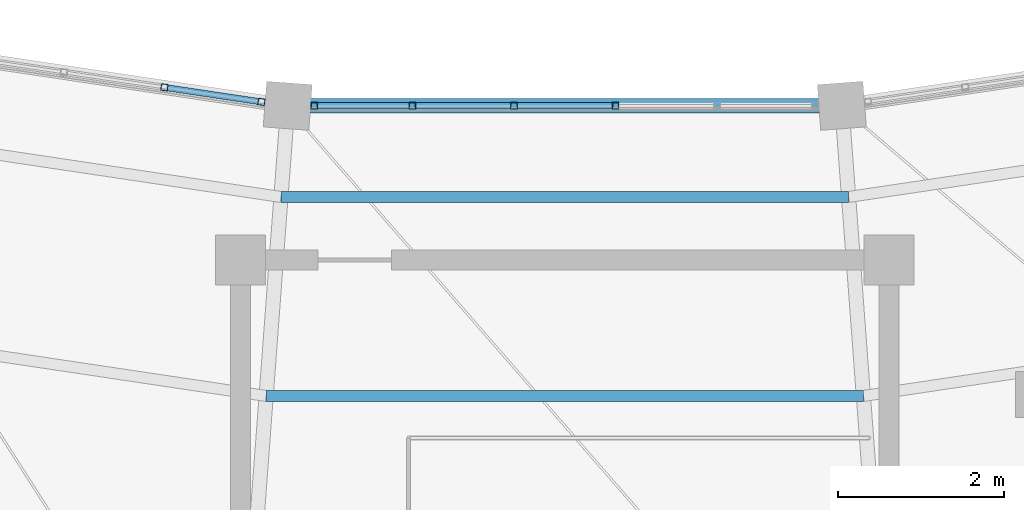
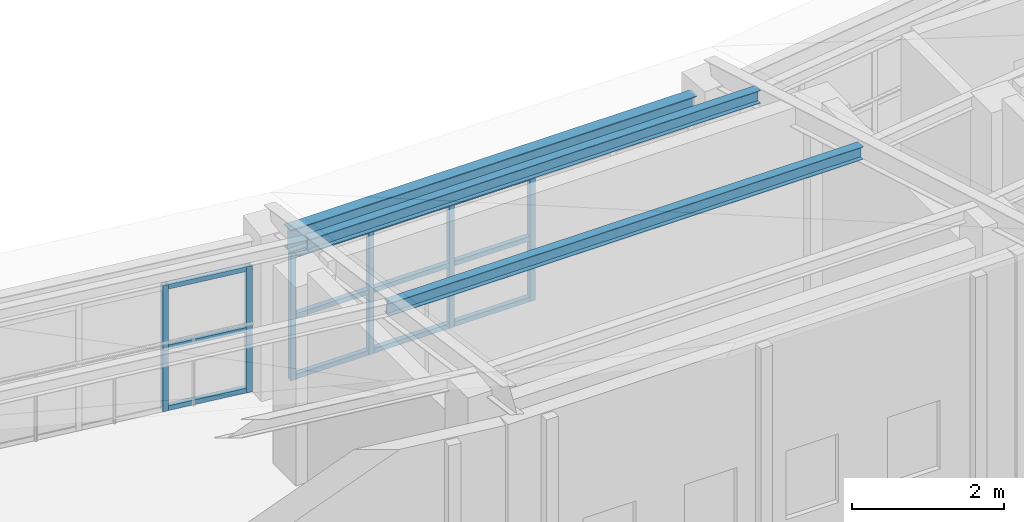
# One storey, part 37 of 149: 20 members, 1 beam, 2 elements without a shape of their own.
"""IFC4 building model written with IfcOpenShell, lengths in metres."""

from ifc_helpers import new_model, si_unit, direction, frame, origin, origin_2d, place, context, subcontext, project, spatial, hollow_rectangle, i_section, extrude, material, material_profile, profile_set, type_object, element, aggregate, save


model = new_model("IFC4")

# Units and contexts
model_context = context("Model", 3, precision=1e-05, world=origin(), true_north=direction((0.0, 1.0)))
body_context = subcontext(model_context, "Body", "Model", "MODEL_VIEW")
ifc_project = project(units=[si_unit("LENGTHUNIT", "METRE"), si_unit("AREAUNIT", "SQUARE_METRE"), si_unit("VOLUMEUNIT", "CUBIC_METRE"), si_unit("PLANEANGLEUNIT", "RADIAN"), si_unit("MASSUNIT", "GRAM", prefix="KILO")], contexts=[model_context])

# Site, building, storey
site_placement = place(None, origin())
site = spatial("IfcSite", under=ifc_project, at=site_placement, CompositionType="ELEMENT")
building_placement = place(site_placement, origin())
building = spatial("IfcBuilding", under=site, at=building_placement, Name="Celadon Cloister-Ring School", CompositionType="ELEMENT")
storey_placement = place(building_placement, frame((0.0, 0.0, 12.5)))
storey = spatial("IfcBuildingStorey", under=building, at=storey_placement, Name="L03", CompositionType="ELEMENT", Elevation=12.5)

# Curtain wall, members
ifc_material_1 = material(Name="Aluminium EN AW-6063 T6", Category="aluminium")
curtain_wall_type = type_object("IfcCurtainWallType", Name="CW-02", PredefinedType="USERDEFINED", material=ifc_material_1)
curtain_wall_1_placement = place(storey_placement, origin())
curtain_wall_1 = element("IfcCurtainWall", 1, at=curtain_wall_1_placement, inside=storey, type_object=curtain_wall_type, Name="Curtain Wall 0060", ObjectType="CURTAIN WALL", PredefinedType="USERDEFINED")
ifc_material_2 = material(Name="Aluminium EN AW-6063 T6", Category="aluminium")
ifc_material_profile_1 = material_profile(ifc_material_2, hollow_rectangle(XDim=0.080078125, YDim=0.080078125, WallThickness=0.00390625, at=origin_2d()), Name="RHS80X80X4")
ifc_profile_set_1 = profile_set([ifc_material_profile_1], Name="Aluminium EN AW-6063 T6")
member_type_1 = type_object("IfcMemberType", Name="CM-03", PredefinedType="MULLION", material=ifc_profile_set_1)
member_1_placement = place(storey_placement, frame((82.1826171875, 14.345703125, 0.0), z_axis=(0.0, 0.0, 1.0), x_axis=(0.147812141048, 0.989015455369, 0.0)))
member_1 = element("IfcMember", 2, at=member_1_placement, type_object=member_type_1, Name="CW-02 mullion 5", PredefinedType="MULLION", context=body_context, shape_type="SweptSolid", body=[
    extrude(hollow_rectangle(XDim=0.080078125, YDim=0.080078125, WallThickness=0.00390625, at=origin_2d()), origin(), (0.0, 0.0, 1.0), 2.02001953125),
])
member_2_placement = place(storey_placement, frame((83.351318359375, 14.1708984375, 0.0), z_axis=(0.0, 0.0, 1.0), x_axis=(0.147812141048, 0.989015455369, 0.0)))
member_2 = element("IfcMember", 3, at=member_2_placement, type_object=member_type_1, Name="CW-02 mullion 6", PredefinedType="MULLION", context=body_context, shape_type="SweptSolid", body=[
    extrude(hollow_rectangle(XDim=0.080078125, YDim=0.080078125, WallThickness=0.00390625, at=origin_2d()), origin(), (0.0, 0.0, 1.0), 2.02001953125),
])

curtain_wall_2_placement = place(storey_placement, origin())
curtain_wall_2 = element("IfcCurtainWall", 4, at=curtain_wall_2_placement, inside=storey, type_object=curtain_wall_type, Name="Curtain Wall 0061", ObjectType="CURTAIN WALL", PredefinedType="USERDEFINED")
member_3_placement = place(storey_placement, frame((83.986083984375, 14.1240234375, 0.0), z_axis=(0.0, 0.0, 1.0), x_axis=(0.0, 1.0, 0.0)))
member_3 = element("IfcMember", 5, at=member_3_placement, type_object=member_type_1, Name="CW-02 mullion 1", PredefinedType="MULLION", context=body_context, shape_type="SweptSolid", body=[
    extrude(hollow_rectangle(XDim=0.080078125, YDim=0.080078125, WallThickness=0.00390625, at=origin_2d()), origin(), (0.0, 0.0, 1.0), 2.02001953125),
])
member_4_placement = place(storey_placement, frame((85.16748046875, 14.1240234375, 0.0), z_axis=(0.0, 0.0, 1.0), x_axis=(0.0, 1.0, 0.0)))
member_4 = element("IfcMember", 6, at=member_4_placement, type_object=member_type_1, Name="CW-02 mullion 2", PredefinedType="MULLION", context=body_context, shape_type="SweptSolid", body=[
    extrude(hollow_rectangle(XDim=0.080078125, YDim=0.080078125, WallThickness=0.00390625, at=origin_2d()), origin(), (0.0, 0.0, 1.0), 2.02001953125),
])
member_5_placement = place(storey_placement, frame((86.38916015625, 14.1240234375, 0.0), z_axis=(0.0, 0.0, 1.0), x_axis=(0.0, 1.0, 0.0)))
member_5 = element("IfcMember", 7, at=member_5_placement, type_object=member_type_1, Name="CW-02 mullion 3", PredefinedType="MULLION", context=body_context, shape_type="SweptSolid", body=[
    extrude(hollow_rectangle(XDim=0.080078125, YDim=0.080078125, WallThickness=0.00390625, at=origin_2d()), origin(), (0.0, 0.0, 1.0), 2.02001953125),
])
member_6_placement = place(storey_placement, frame((87.61083984375, 14.1240234375, 0.0), z_axis=(0.0, 0.0, 1.0), x_axis=(0.0, 1.0, 0.0)))
member_6 = element("IfcMember", 8, at=member_6_placement, type_object=member_type_1, Name="CW-02 mullion 4", PredefinedType="MULLION", context=body_context, shape_type="SweptSolid", body=[
    extrude(hollow_rectangle(XDim=0.080078125, YDim=0.080078125, WallThickness=0.00390625, at=origin_2d()), origin(), (0.0, 0.0, 1.0), 2.02001953125),
])

# Member
ifc_material_3 = material(Name="Aluminium EN AW-6063 T6", Category="aluminium")
ifc_material_profile_2 = material_profile(ifc_material_3, hollow_rectangle(XDim=0.074951171875, YDim=0.074951171875, WallThickness=0.00390625, at=origin_2d()), Name="RHS75X75X4")
ifc_profile_set_2 = profile_set([ifc_material_profile_2], Name="Aluminium EN AW-6063 T6")
member_type_2 = type_object("IfcMemberType", Name="CTM-03", PredefinedType="USERDEFINED", material=ifc_profile_set_2)
member_7_placement = place(storey_placement, frame((82.22216796875, 14.339599609375, 0.03759765625), z_axis=(0.989015857499, -0.147809450359, 0.0), x_axis=(0.147809450359, 0.989015857499, 0.0)))
member_7 = element("IfcMember", 9, at=member_7_placement, type_object=member_type_2, Name="CW-02 transom 5.1", ObjectType="TRANSOM", PredefinedType="USERDEFINED", context=body_context, shape_type="SweptSolid", body=[
    extrude(hollow_rectangle(XDim=0.074951171875, YDim=0.074951171875, WallThickness=0.00390625, at=origin_2d()), origin(), (0.0, 0.0, 1.0), 1.101806640625),
])

member_8_placement = place(storey_placement, frame((82.22216796875, 14.339599609375, 1.010009765625), z_axis=(0.989015857499, -0.147809450359, 0.0), x_axis=(0.147809450359, 0.989015857499, 0.0)))
member_8 = element("IfcMember", 10, at=member_8_placement, type_object=member_type_2, Name="CW-02 transom 5.2", ObjectType="TRANSOM", PredefinedType="USERDEFINED", context=body_context, shape_type="SweptSolid", body=[
    extrude(hollow_rectangle(XDim=0.074951171875, YDim=0.074951171875, WallThickness=0.00390625, at=origin_2d()), origin(), (0.0, 0.0, 1.0), 1.101806640625),
])

member_9_placement = place(storey_placement, frame((82.22216796875, 14.339599609375, 1.982421875), z_axis=(0.989015857499, -0.147809450359, 0.0), x_axis=(0.147809450359, 0.989015857499, 0.0)))
member_9 = element("IfcMember", 11, at=member_9_placement, type_object=member_type_2, Name="CW-02 transom 5.3", ObjectType="TRANSOM", PredefinedType="USERDEFINED", context=body_context, shape_type="SweptSolid", body=[
    extrude(hollow_rectangle(XDim=0.074951171875, YDim=0.074951171875, WallThickness=0.00390625, at=origin_2d()), origin(), (0.0, 0.0, 1.0), 1.101806640625),
])

aggregate(curtain_wall_1, [member_1, member_2, member_7, member_8, member_9])

member_10_placement = place(storey_placement, frame((84.02587890625, 14.1240234375, 0.03759765625), z_axis=(1.0, 0.0, 0.0), x_axis=(0.0, 1.0, 0.0)))
member_10 = element("IfcMember", 12, at=member_10_placement, type_object=member_type_2, Name="CW-02 transom 1.1", ObjectType="TRANSOM", PredefinedType="USERDEFINED", context=body_context, shape_type="SweptSolid", body=[
    extrude(hollow_rectangle(XDim=0.074951171875, YDim=0.074951171875, WallThickness=0.00390625, at=origin_2d()), origin(), (0.0, 0.0, 1.0), 1.101806640625),
])

member_11_placement = place(storey_placement, frame((84.02587890625, 14.1240234375, 1.010009765625), z_axis=(1.0, 0.0, 0.0), x_axis=(0.0, 1.0, 0.0)))
member_11 = element("IfcMember", 13, at=member_11_placement, type_object=member_type_2, Name="CW-02 transom 1.2", ObjectType="TRANSOM", PredefinedType="USERDEFINED", context=body_context, shape_type="SweptSolid", body=[
    extrude(hollow_rectangle(XDim=0.074951171875, YDim=0.074951171875, WallThickness=0.00390625, at=origin_2d()), origin(), (0.0, 0.0, 1.0), 1.101806640625),
])

member_12_placement = place(storey_placement, frame((84.02587890625, 14.1240234375, 1.982421875), z_axis=(1.0, 0.0, 0.0), x_axis=(0.0, 1.0, 0.0)))
member_12 = element("IfcMember", 14, at=member_12_placement, type_object=member_type_2, Name="CW-02 transom 1.3", ObjectType="TRANSOM", PredefinedType="USERDEFINED", context=body_context, shape_type="SweptSolid", body=[
    extrude(hollow_rectangle(XDim=0.074951171875, YDim=0.074951171875, WallThickness=0.00390625, at=origin_2d()), origin(), (0.0, 0.0, 1.0), 1.101806640625),
])

member_13_placement = place(storey_placement, frame((85.20751953125, 14.1240234375, 0.03759765625), z_axis=(1.0, 0.0, 0.0), x_axis=(0.0, 1.0, 0.0)))
member_13 = element("IfcMember", 15, at=member_13_placement, type_object=member_type_2, Name="CW-02 transom 2.1", ObjectType="TRANSOM", PredefinedType="USERDEFINED", context=body_context, shape_type="SweptSolid", body=[
    extrude(hollow_rectangle(XDim=0.074951171875, YDim=0.074951171875, WallThickness=0.00390625, at=origin_2d()), origin(), (0.0, 0.0, 1.0), 1.1416015625),
])

member_14_placement = place(storey_placement, frame((85.20751953125, 14.1240234375, 1.010009765625), z_axis=(1.0, 0.0, 0.0), x_axis=(0.0, 1.0, 0.0)))
member_14 = element("IfcMember", 16, at=member_14_placement, type_object=member_type_2, Name="CW-02 transom 2.2", ObjectType="TRANSOM", PredefinedType="USERDEFINED", context=body_context, shape_type="SweptSolid", body=[
    extrude(hollow_rectangle(XDim=0.074951171875, YDim=0.074951171875, WallThickness=0.00390625, at=origin_2d()), origin(), (0.0, 0.0, 1.0), 1.1416015625),
])

member_15_placement = place(storey_placement, frame((85.20751953125, 14.1240234375, 1.982421875), z_axis=(1.0, 0.0, 0.0), x_axis=(0.0, 1.0, 0.0)))
member_15 = element("IfcMember", 17, at=member_15_placement, type_object=member_type_2, Name="CW-02 transom 2.3", ObjectType="TRANSOM", PredefinedType="USERDEFINED", context=body_context, shape_type="SweptSolid", body=[
    extrude(hollow_rectangle(XDim=0.074951171875, YDim=0.074951171875, WallThickness=0.00390625, at=origin_2d()), origin(), (0.0, 0.0, 1.0), 1.1416015625),
])

member_16_placement = place(storey_placement, frame((86.42919921875, 14.1240234375, 0.03759765625), z_axis=(1.0, 0.0, 0.0), x_axis=(0.0, 1.0, 0.0)))
member_16 = element("IfcMember", 18, at=member_16_placement, type_object=member_type_2, Name="CW-02 transom 3.1", ObjectType="TRANSOM", PredefinedType="USERDEFINED", context=body_context, shape_type="SweptSolid", body=[
    extrude(hollow_rectangle(XDim=0.074951171875, YDim=0.074951171875, WallThickness=0.00390625, at=origin_2d()), origin(), (0.0, 0.0, 1.0), 1.1416015625),
])

member_17_placement = place(storey_placement, frame((86.42919921875, 14.1240234375, 1.010009765625), z_axis=(1.0, 0.0, 0.0), x_axis=(0.0, 1.0, 0.0)))
member_17 = element("IfcMember", 19, at=member_17_placement, type_object=member_type_2, Name="CW-02 transom 3.2", ObjectType="TRANSOM", PredefinedType="USERDEFINED", context=body_context, shape_type="SweptSolid", body=[
    extrude(hollow_rectangle(XDim=0.074951171875, YDim=0.074951171875, WallThickness=0.00390625, at=origin_2d()), origin(), (0.0, 0.0, 1.0), 1.1416015625),
])

member_18_placement = place(storey_placement, frame((86.42919921875, 14.1240234375, 1.982421875), z_axis=(1.0, 0.0, 0.0), x_axis=(0.0, 1.0, 0.0)))
member_18 = element("IfcMember", 20, at=member_18_placement, type_object=member_type_2, Name="CW-02 transom 3.3", ObjectType="TRANSOM", PredefinedType="USERDEFINED", context=body_context, shape_type="SweptSolid", body=[
    extrude(hollow_rectangle(XDim=0.074951171875, YDim=0.074951171875, WallThickness=0.00390625, at=origin_2d()), origin(), (0.0, 0.0, 1.0), 1.1416015625),
])

aggregate(curtain_wall_2, [member_3, member_4, member_5, member_6, member_10, member_11, member_12, member_13, member_14, member_15, member_16, member_17, member_18])

# Beam
ifc_material_4 = material(Name="Structural steel S355JR", Category="steel")
ifc_material_profile_3 = material_profile(ifc_material_4, i_section(OverallWidth=0.1708984375, OverallDepth=0.35498046875, WebThickness=0.007080078125, FlangeThickness=0.01171875, at=origin_2d()), Name="W360X51")
ifc_profile_set_3 = profile_set([ifc_material_profile_3], Name="Structural steel S355JR")
beam_type = type_object("IfcBeamType", Name="GT-08", PredefinedType="USERDEFINED", material=ifc_profile_set_3)
beam_placement = place(storey_placement, frame((83.9169921875, 14.1240234375, 2.27197265625), z_axis=(1.0, 0.0, 0.0), x_axis=(0.0, 1.0, 0.0)))
element("IfcBeam", 21, at=beam_placement, inside=storey, type_object=beam_type, Name="Beam 0557", ObjectType="GIRDER", PredefinedType="USERDEFINED", context=body_context, shape_type="SweptSolid", body=[
    extrude(i_section(OverallWidth=0.1708984375, OverallDepth=0.35498046875, WebThickness=0.007080078125, FlangeThickness=0.01171875, at=origin_2d()), origin(), (0.0, 0.0, 1.0), 6.166015625),
])

# Members
ifc_material_5 = material(Name="Structural steel S355JR", Category="steel")
ifc_material_profile_4 = material_profile(ifc_material_5, i_section(OverallWidth=0.133056640625, OverallDepth=0.20703125, WebThickness=0.005859375, FlangeThickness=0.00830078125, at=origin_2d()), Name="W200X27")
ifc_profile_set_4 = profile_set([ifc_material_profile_4], Name="Structural steel S355JR")
member_type_3 = type_object("IfcMemberType", Name="MP-04", PredefinedType="PURLIN", material=ifc_profile_set_4)
member_19_placement = place(storey_placement, frame((83.5849609375, 13.027099609375, 2.970947265625), z_axis=(1.0, 0.0, 0.0), x_axis=(0.0, 1.0, 0.0)))
element("IfcMember", 22, at=member_19_placement, inside=storey, type_object=member_type_3, Name="Structural Member 0164", PredefinedType="PURLIN", context=body_context, shape_type="SweptSolid", body=[
    extrude(i_section(OverallWidth=0.133056640625, OverallDepth=0.20703125, WebThickness=0.005859375, FlangeThickness=0.00830078125, at=origin_2d()), origin(), (0.0, 0.0, 1.0), 6.830078125),
])
member_20_placement = place(storey_placement, frame((83.406982421875, 10.633056640625, 3.4599609375), z_axis=(1.0, 0.0, 0.0), x_axis=(0.0, 1.0, 0.0)))
element("IfcMember", 23, at=member_20_placement, inside=storey, type_object=member_type_3, Name="Structural Member 0165", PredefinedType="PURLIN", context=body_context, shape_type="SweptSolid", body=[
    extrude(i_section(OverallWidth=0.133056640625, OverallDepth=0.20703125, WebThickness=0.005859375, FlangeThickness=0.00830078125, at=origin_2d()), origin(), (0.0, 0.0, 1.0), 7.18603515625),
])

save(model, "model.ifc")
